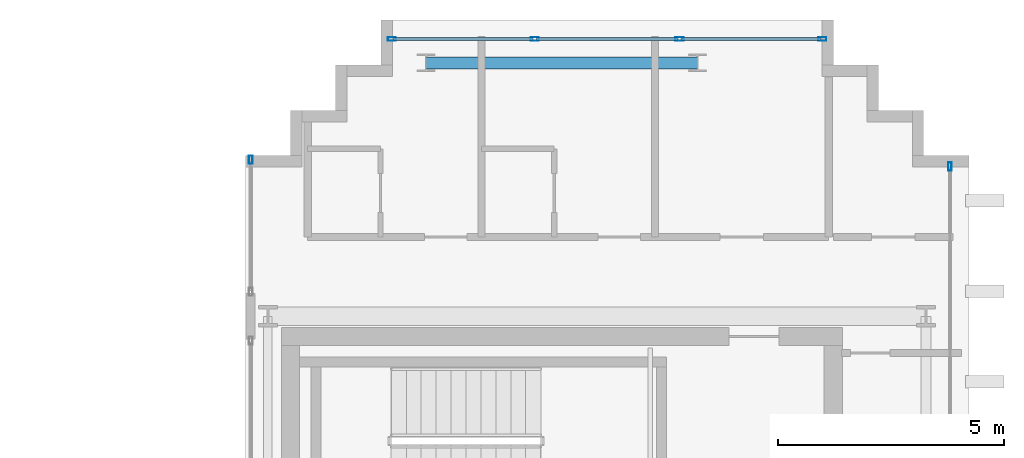
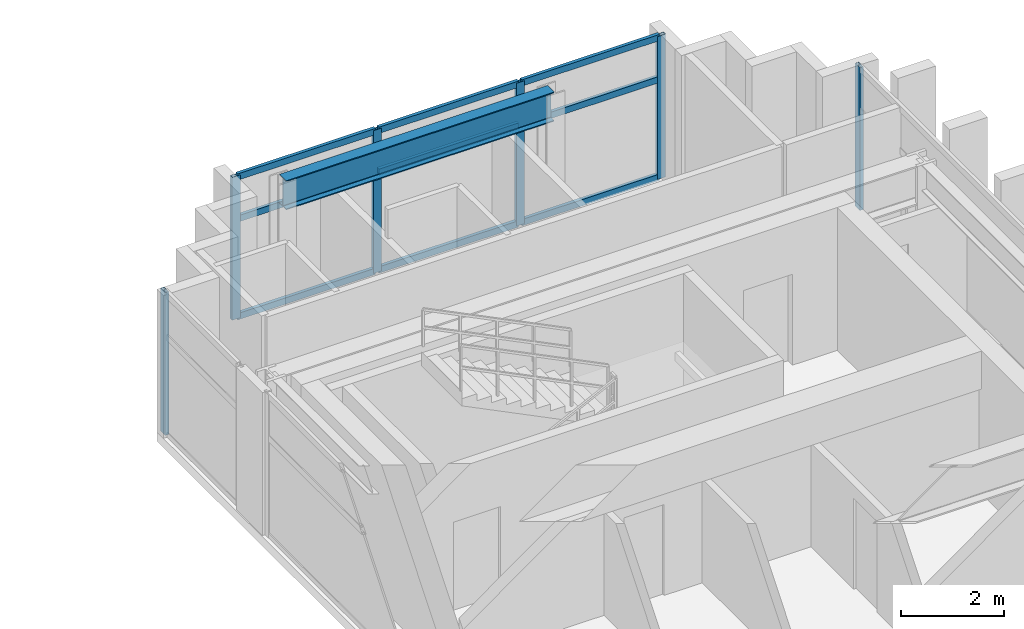
# One storey, part 17 of 25: 15 members, 1 beam, 3 elements without a shape of their own.
"""IFC4 building model written with IfcOpenShell, lengths in metres."""

from ifc_helpers import new_model, si_unit, direction, frame, origin, origin_2d, place, context, subcontext, project, spatial, hollow_rectangle, i_section, extrude, source, transform, mapped, material, layer, layer_set, material_profile, profile_set, type_object, element, aggregate, save


model = new_model("IFC4")

# Units and contexts
model_context = context("Model", 3, precision=1e-05, world=origin(), true_north=direction((0.0, 1.0)))
body_context = subcontext(model_context, "Body", "Model", "MODEL_VIEW")
ifc_project = project(units=[si_unit("LENGTHUNIT", "METRE"), si_unit("AREAUNIT", "SQUARE_METRE"), si_unit("VOLUMEUNIT", "CUBIC_METRE"), si_unit("PLANEANGLEUNIT", "RADIAN"), si_unit("MASSUNIT", "GRAM", prefix="KILO")], contexts=[model_context])

# Site, building, storey
site_placement = place(None, origin())
site = spatial("IfcSite", under=ifc_project, at=site_placement, CompositionType="ELEMENT")
building_placement = place(site_placement, origin())
building = spatial("IfcBuilding", under=site, at=building_placement, Name="Ocotamira Hotel", CompositionType="ELEMENT")
storey_placement = place(building_placement, frame((0.0, 0.0, 265.199951171875)))
storey = spatial("IfcBuildingStorey", under=building, at=storey_placement, Name="L67", CompositionType="ELEMENT", Elevation=265.199951171875)

# Beam
ifc_material_1 = material(Name="Steel ASTM A992 Grade 50", Category="steel")
ifc_material_profile_1 = material_profile(ifc_material_1, i_section(OverallWidth=0.256103515625, OverallDepth=0.693115234375, WebThickness=0.014404296875, FlangeThickness=0.023681640625, FilletRadius=0.01611328125, at=origin_2d()), Name="W27X114")
ifc_profile_set_1 = profile_set([ifc_material_profile_1], Name="Steel ASTM A992 Grade 50")
beam_type = type_object("IfcBeamType", Name="BM-PRIM-W27X114", PredefinedType="BEAM", material=ifc_profile_set_1)
shared_shape_1 = source(origin(), body_context, "Body", "SweptSolid", [
    extrude(i_section(OverallWidth=0.256103515625, OverallDepth=0.693115234375, WebThickness=0.014404296875, FlangeThickness=0.023681640625, FilletRadius=0.01611328125, at=origin_2d()), origin(), (0.0, 0.0, 1.0), 6.0),
])
beam_placement = place(storey_placement, frame((44.0, 43.050048828125, 3.033447265625), z_axis=(1.0, 0.0, 0.0), x_axis=(0.0, 1.0, 0.0)))
element("IfcBeam", 1, at=beam_placement, inside=storey, type_object=beam_type, Name="L67 Girder Y43.05 X44-50", PredefinedType="BEAM", context=body_context, shape_type="MappedRepresentation", body=[
    mapped(shared_shape_1, transform((0.0, 0.0, 0.0), scale=1.0)),
])

# Curtain wall, members
ifc_material_2 = material(Name="Anodised pale-metal aluminium and solar glass", Category="aluminium")
ifc_layer = layer(ifc_material_2, 0.2099609375)
ifc_layer_set = layer_set([ifc_layer], Name="Anodised pale-metal aluminium and solar glass")
curtain_wall_type = type_object("IfcCurtainWallType", Name="CW-SYS7-PEAK", PredefinedType="NOTDEFINED", material=ifc_layer_set)
curtain_wall_1_placement = place(storey_placement, origin())
curtain_wall_1 = element("IfcCurtainWall", 2, at=curtain_wall_1_placement, inside=storey, type_object=curtain_wall_type, Name="L67 Curtain Wall CW-7 CW-L67-EN", PredefinedType="NOTDEFINED")
ifc_material_3 = material(Name="Anodised pale-metal aluminium 6063-T6", Category="aluminium")
ifc_material_profile_2 = material_profile(ifc_material_3, hollow_rectangle(XDim=0.080078125, YDim=0.179931640625, WallThickness=0.006103515625, at=origin_2d()), Name="HSS180X80X6")
ifc_profile_set_2 = profile_set([ifc_material_profile_2], Name="Anodised pale-metal aluminium 6063-T6")
member_type_1 = type_object("IfcMemberType", Name="CWM-180X75", PredefinedType="MULLION", material=ifc_profile_set_2)
shared_shape_2 = source(origin(), body_context, "Body", "SweptSolid", [
    extrude(hollow_rectangle(XDim=0.080078125, YDim=0.179931640625, WallThickness=0.006103515625, at=origin_2d()), origin(), (0.0, 0.0, 1.0), 3.380126953125),
])
member_1_placement = place(storey_placement, frame((43.239990234375, 43.580078125, 0.0), z_axis=(0.0, 0.0, 1.0), x_axis=(0.0, 1.0, 0.0)))
member_1 = element("IfcMember", 3, at=member_1_placement, type_object=member_type_1, Name="CW-7 mullion 1", PredefinedType="MULLION", context=body_context, shape_type="MappedRepresentation", body=[
    mapped(shared_shape_2, transform((0.0, 0.0, 0.0), scale=1.0)),
])
member_2_placement = place(storey_placement, frame((46.39990234375, 43.580078125, 0.0), z_axis=(0.0, 0.0, 1.0), x_axis=(0.0, 1.0, 0.0)))
member_2 = element("IfcMember", 4, at=member_2_placement, type_object=member_type_1, Name="CW-7 mullion 2", PredefinedType="MULLION", context=body_context, shape_type="MappedRepresentation", body=[
    mapped(shared_shape_2, transform((0.0, 0.0, 0.0), scale=1.0)),
])
member_3_placement = place(storey_placement, frame((49.60009765625, 43.580078125, 0.0), z_axis=(0.0, 0.0, 1.0), x_axis=(0.0, 1.0, 0.0)))
member_3 = element("IfcMember", 5, at=member_3_placement, type_object=member_type_1, Name="CW-7 mullion 3", PredefinedType="MULLION", context=body_context, shape_type="MappedRepresentation", body=[
    mapped(shared_shape_2, transform((0.0, 0.0, 0.0), scale=1.0)),
])
member_4_placement = place(storey_placement, frame((52.760009765625, 43.580078125, 0.0), z_axis=(0.0, 0.0, 1.0), x_axis=(0.0, 1.0, 0.0)))
member_4 = element("IfcMember", 6, at=member_4_placement, type_object=member_type_1, Name="CW-7 mullion 4", PredefinedType="MULLION", context=body_context, shape_type="MappedRepresentation", body=[
    mapped(shared_shape_2, transform((0.0, 0.0, 0.0), scale=1.0)),
])

# Curtain wall, member
curtain_wall_2_placement = place(storey_placement, origin())
curtain_wall_2 = element("IfcCurtainWall", 7, at=curtain_wall_2_placement, inside=storey, type_object=curtain_wall_type, Name="L67 Curtain Wall CW-7 CW-L67-EO2", PredefinedType="NOTDEFINED")
member_5_placement = place(storey_placement, frame((55.580078125, 40.760009765625, 0.0), z_axis=(0.0, 0.0, 1.0), x_axis=(-1.0, 0.0, 0.0)))
member_5 = element("IfcMember", 8, at=member_5_placement, type_object=member_type_1, Name="CW-7 mullion 3", PredefinedType="MULLION", context=body_context, shape_type="MappedRepresentation", body=[
    mapped(shared_shape_2, transform((0.0, 0.0, 0.0), scale=1.0)),
])
aggregate(curtain_wall_2, [member_5])

curtain_wall_3_placement = place(storey_placement, origin())
curtain_wall_3 = element("IfcCurtainWall", 9, at=curtain_wall_3_placement, inside=storey, type_object=curtain_wall_type, Name="L67 Curtain Wall CW-7 CW-L67-EI4", PredefinedType="NOTDEFINED")
member_6_placement = place(storey_placement, frame((40.1201171875, 40.909912109375, 0.0), z_axis=(0.0, 0.0, 1.0), x_axis=(-1.0, 0.0, 0.0)))
member_6 = element("IfcMember", 10, at=member_6_placement, type_object=member_type_1, Name="CW-7 mullion 2", PredefinedType="MULLION", context=body_context, shape_type="MappedRepresentation", body=[
    mapped(shared_shape_2, transform((0.0, 0.0, 0.0), scale=1.0)),
])
aggregate(curtain_wall_3, [member_6])

# Member
ifc_material_profile_3 = material_profile(ifc_material_3, hollow_rectangle(XDim=0.074951171875, YDim=0.14990234375, WallThickness=0.006103515625, at=origin_2d()), Name="HSS150X75X6")
ifc_profile_set_3 = profile_set([ifc_material_profile_3], Name="Anodised pale-metal aluminium 6063-T6")
member_type_2 = type_object("IfcMemberType", Name="CWT-150X75", PredefinedType="USERDEFINED", material=ifc_profile_set_3)
shared_shape_3 = source(origin(), body_context, "Body", "SweptSolid", [
    extrude(hollow_rectangle(XDim=0.074951171875, YDim=0.14990234375, WallThickness=0.006103515625, at=origin_2d()), origin(), (0.0, 0.0, 1.0), 3.080078125),
])
member_7_placement = place(storey_placement, frame((43.280029296875, 43.580078125, 0.03759765625), z_axis=(1.0, 0.0, 0.0), x_axis=(0.0, 1.0, 0.0)))
member_7 = element("IfcMember", 11, at=member_7_placement, type_object=member_type_2, Name="CW-7 transom 1.1", ObjectType="TRANSOM", PredefinedType="USERDEFINED", context=body_context, shape_type="MappedRepresentation", body=[
    mapped(shared_shape_3, transform((0.0, 0.0, 0.0), scale=1.0)),
])

member_8_placement = place(storey_placement, frame((43.280029296875, 43.580078125, 2.35009765625), z_axis=(1.0, 0.0, 0.0), x_axis=(0.0, 1.0, 0.0)))
member_8 = element("IfcMember", 12, at=member_8_placement, type_object=member_type_2, Name="CW-7 transom 1.2", ObjectType="TRANSOM", PredefinedType="USERDEFINED", context=body_context, shape_type="MappedRepresentation", body=[
    mapped(shared_shape_3, transform((0.0, 0.0, 0.0), scale=1.0)),
])

member_9_placement = place(storey_placement, frame((43.280029296875, 43.580078125, 3.342529296875), z_axis=(1.0, 0.0, 0.0), x_axis=(0.0, 1.0, 0.0)))
member_9 = element("IfcMember", 13, at=member_9_placement, type_object=member_type_2, Name="CW-7 transom 1.3", ObjectType="TRANSOM", PredefinedType="USERDEFINED", context=body_context, shape_type="MappedRepresentation", body=[
    mapped(shared_shape_3, transform((0.0, 0.0, 0.0), scale=1.0)),
])

member_10_placement = place(storey_placement, frame((49.639892578125, 43.580078125, 0.03759765625), z_axis=(1.0, 0.0, 0.0), x_axis=(0.0, 1.0, 0.0)))
member_10 = element("IfcMember", 14, at=member_10_placement, type_object=member_type_2, Name="CW-7 transom 3.1", ObjectType="TRANSOM", PredefinedType="USERDEFINED", context=body_context, shape_type="MappedRepresentation", body=[
    mapped(shared_shape_3, transform((0.0, 0.0, 0.0), scale=1.0)),
])

member_11_placement = place(storey_placement, frame((49.639892578125, 43.580078125, 2.35009765625), z_axis=(1.0, 0.0, 0.0), x_axis=(0.0, 1.0, 0.0)))
member_11 = element("IfcMember", 15, at=member_11_placement, type_object=member_type_2, Name="CW-7 transom 3.2", ObjectType="TRANSOM", PredefinedType="USERDEFINED", context=body_context, shape_type="MappedRepresentation", body=[
    mapped(shared_shape_3, transform((0.0, 0.0, 0.0), scale=1.0)),
])

member_12_placement = place(storey_placement, frame((49.639892578125, 43.580078125, 3.342529296875), z_axis=(1.0, 0.0, 0.0), x_axis=(0.0, 1.0, 0.0)))
member_12 = element("IfcMember", 16, at=member_12_placement, type_object=member_type_2, Name="CW-7 transom 3.3", ObjectType="TRANSOM", PredefinedType="USERDEFINED", context=body_context, shape_type="MappedRepresentation", body=[
    mapped(shared_shape_3, transform((0.0, 0.0, 0.0), scale=1.0)),
])

shared_shape_4 = source(origin(), body_context, "Body", "SweptSolid", [
    extrude(hollow_rectangle(XDim=0.074951171875, YDim=0.14990234375, WallThickness=0.006103515625, at=origin_2d()), origin(), (0.0, 0.0, 1.0), 3.1201171875),
])
member_13_placement = place(storey_placement, frame((46.43994140625, 43.580078125, 0.03759765625), z_axis=(1.0, 0.0, 0.0), x_axis=(0.0, 1.0, 0.0)))
member_13 = element("IfcMember", 17, at=member_13_placement, type_object=member_type_2, Name="CW-7 transom 2.1", ObjectType="TRANSOM", PredefinedType="USERDEFINED", context=body_context, shape_type="MappedRepresentation", body=[
    mapped(shared_shape_4, transform((0.0, 0.0, 0.0), scale=1.0)),
])

member_14_placement = place(storey_placement, frame((46.43994140625, 43.580078125, 2.35009765625), z_axis=(1.0, 0.0, 0.0), x_axis=(0.0, 1.0, 0.0)))
member_14 = element("IfcMember", 18, at=member_14_placement, type_object=member_type_2, Name="CW-7 transom 2.2", ObjectType="TRANSOM", PredefinedType="USERDEFINED", context=body_context, shape_type="MappedRepresentation", body=[
    mapped(shared_shape_4, transform((0.0, 0.0, 0.0), scale=1.0)),
])

member_15_placement = place(storey_placement, frame((46.43994140625, 43.580078125, 3.342529296875), z_axis=(1.0, 0.0, 0.0), x_axis=(0.0, 1.0, 0.0)))
member_15 = element("IfcMember", 19, at=member_15_placement, type_object=member_type_2, Name="CW-7 transom 2.3", ObjectType="TRANSOM", PredefinedType="USERDEFINED", context=body_context, shape_type="MappedRepresentation", body=[
    mapped(shared_shape_4, transform((0.0, 0.0, 0.0), scale=1.0)),
])

aggregate(curtain_wall_1, [member_1, member_2, member_3, member_4, member_7, member_8, member_9, member_13, member_14, member_15, member_10, member_11, member_12])

save(model, "model.ifc")
